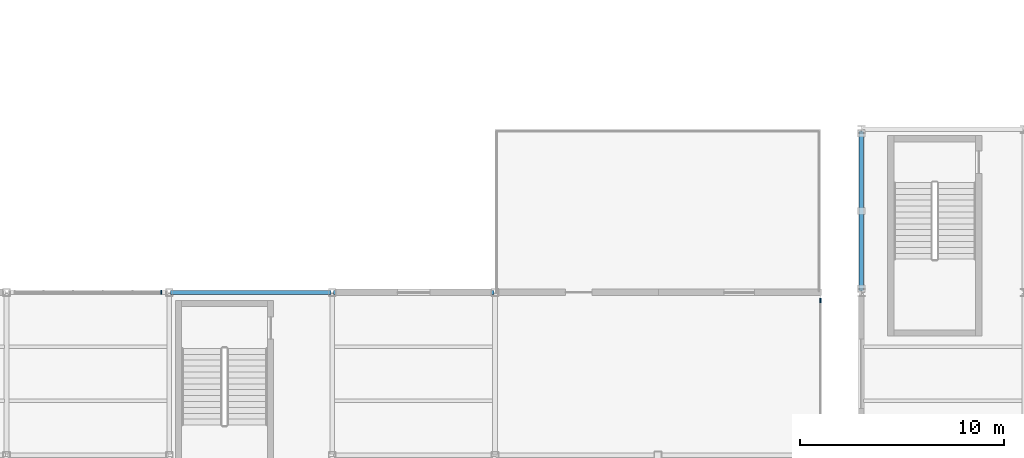
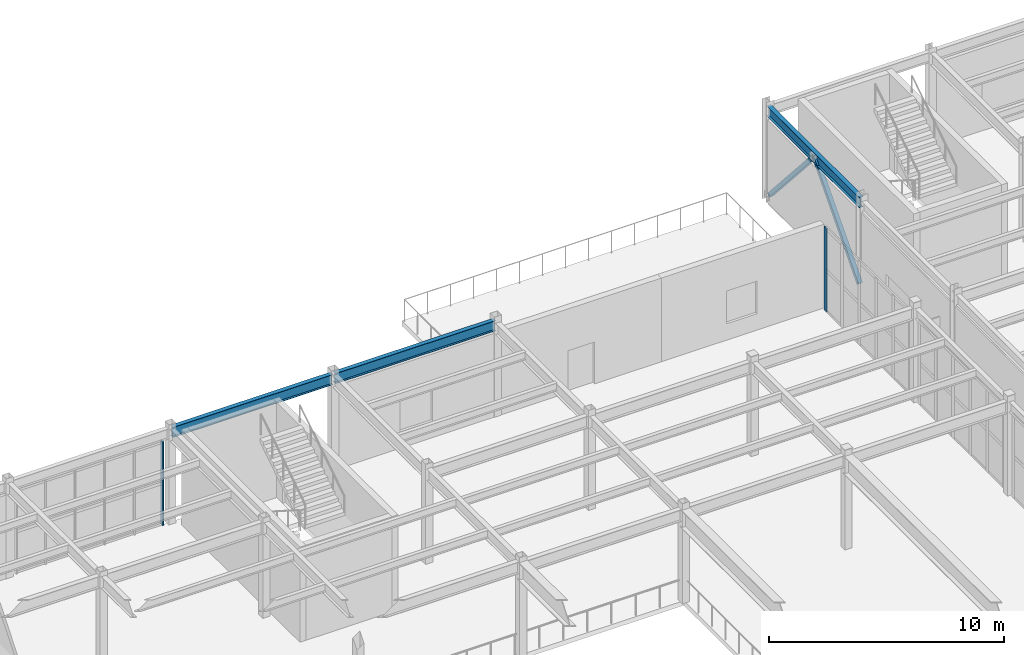
# One storey, part 41 of 77: 4 members, 3 beams, 2 elements without a shape of their own.
"""IFC4 building model written with IfcOpenShell, lengths in metres."""

from ifc_helpers import new_model, si_unit, direction, frame, origin, origin_2d, place, context, subcontext, project, spatial, rectangle, hollow_rectangle, i_section, extrude, material, material_profile, profile_set, type_object, element, aggregate, save


model = new_model("IFC4")

# Units and contexts
model_context = context("Model", 3, precision=1e-05, world=origin(), true_north=direction((0.0, 1.0)))
body_context = subcontext(model_context, "Body", "Model", "MODEL_VIEW")
ifc_project = project(units=[si_unit("LENGTHUNIT", "METRE"), si_unit("AREAUNIT", "SQUARE_METRE"), si_unit("VOLUMEUNIT", "CUBIC_METRE"), si_unit("PLANEANGLEUNIT", "RADIAN"), si_unit("MASSUNIT", "GRAM", prefix="KILO")], contexts=[model_context])

# Site, building, storey
site_placement = place(None, origin())
site = spatial("IfcSite", under=ifc_project, at=site_placement, CompositionType="ELEMENT")
building_placement = place(site_placement, origin())
building = spatial("IfcBuilding", under=site, at=building_placement, Name="Drelvath Fold Interchange", CompositionType="ELEMENT")
storey_placement = place(building_placement, frame((0.0, 0.0, 6.0)))
storey = spatial("IfcBuildingStorey", under=building, at=storey_placement, Name="L01", CompositionType="ELEMENT", Elevation=6.0)

# Beams
ifc_material_1 = material(Name="Steel ASTM A992 Grade 50", Category="steel")
ifc_material_profile_1 = material_profile(ifc_material_1, i_section(OverallWidth=0.2099609375, OverallDepth=0.537109375, WebThickness=0.010986328125, FlangeThickness=0.017333984375, at=origin_2d()), Name="W21X68")
ifc_profile_set_1 = profile_set([ifc_material_profile_1], Name="Steel ASTM A992 Grade 50")
beam_type = type_object("IfcBeamType", Name="BM-W21X68", PredefinedType="SPANDREL", material=ifc_profile_set_1)
for number, where, z_axis, x_axis, name in (
    (1, (68.06005859375, 99.0, 4.680908203125), (1.0, 0.0, 0.0), (0.0, 1.0, 0.0), "L01 Primary X girder BM-W21X68"),
    (2, (76.06005859375, 99.0, 4.680908203125), (1.0, 0.0, 0.0), (0.0, 1.0, 0.0), "L01 Primary X girder BM-W21X68"),
    (3, (102.0, 99.06005859375, 4.680908203125), (0.0, 1.0, 0.0), (-1.0, 0.0, 0.0), "L01 Primary Y girder BM-W21X68"),
):
    element("IfcBeam", number, at=place(storey_placement, frame(where, z_axis=z_axis, x_axis=x_axis)), inside=storey, type_object=beam_type, Name=name, PredefinedType="SPANDREL", context=body_context, shape_type="SweptSolid", body=[
        extrude(i_section(OverallWidth=0.2099609375, OverallDepth=0.537109375, WebThickness=0.010986328125, FlangeThickness=0.017333984375, at=origin_2d()), origin(), (0.0, 0.0, 1.0), 7.8798828125),
    ])

# Members
ifc_material_2 = material(Name="Steel ASTM A500 Grade C", Category="steel")
ifc_material_profile_2 = material_profile(ifc_material_2, hollow_rectangle(XDim=0.202880859375, YDim=0.202880859375, WallThickness=0.0087890625, at=origin_2d()), Name="HSS8X8X3/8")
ifc_profile_set_2 = profile_set([ifc_material_profile_2], Name="Steel ASTM A500 Grade C")
member_type_1 = type_object("IfcMemberType", Name="BR-CBF203", PredefinedType="BRACE", material=ifc_profile_set_2)
for number, where, z_axis, x_axis, name in (
    (4, (102.0, 99.18603515625, 0.3701171875), (0.0, 0.662629708149, 0.748947174291), (-1.0, 0.0, 0.0), "L01 Concentrically braced frame diagonal BR-CBF203"),
    (5, (102.0, 106.81396484375, 0.3701171875), (0.0, -0.662629708149, 0.748947174291), (1.0, 0.0, 0.0), "L01 Concentrically braced frame diagonal BR-CBF203"),
):
    element("IfcMember", number, at=place(storey_placement, frame(where, z_axis=z_axis, x_axis=x_axis)), inside=storey, type_object=member_type_1, Name=name, PredefinedType="BRACE", context=body_context, shape_type="SweptSolid", body=[
        extrude(hollow_rectangle(XDim=0.202880859375, YDim=0.202880859375, WallThickness=0.0087890625, at=origin_2d()), origin(), (0.0, 0.0, 1.0), 5.755859375),
    ])

# Curtain wall, member
ifc_material_3 = material(Name="Anodized Aluminium 6063-T6", Category="aluminium")
curtain_wall_type = type_object("IfcCurtainWallType", Name="CW-CON-520", PredefinedType="USERDEFINED", material=ifc_material_3)
curtain_wall_1_placement = place(storey_placement, origin())
curtain_wall_1 = element("IfcCurtainWall", 6, at=curtain_wall_1_placement, inside=storey, type_object=curtain_wall_type, Name="Curtain wall CW-V1-L01-N60", ObjectType="UNITISED CURTAIN WALL", PredefinedType="USERDEFINED")
ifc_material_profile_3 = material_profile(ifc_material_3, rectangle(XDim=0.06494140625, YDim=0.18994140625, at=origin_2d()), Name="AL-M 65x190")
ifc_profile_set_3 = profile_set([ifc_material_profile_3], Name="Anodized Aluminium 6063-T6")
member_type_2 = type_object("IfcMemberType", Name="ML-190", PredefinedType="MULLION", material=ifc_profile_set_3)
member_1_placement = place(storey_placement, frame((67.60009765625, 99.0, 0.0), z_axis=(0.0, 0.0, 1.0), x_axis=(1.0, 0.0, 0.0)))
member_1 = element("IfcMember", 7, at=member_1_placement, type_object=member_type_2, Name="CW-V1-L01-N60 mullion 5", PredefinedType="MULLION", context=body_context, shape_type="SweptSolid", body=[
    extrude(rectangle(XDim=0.06494140625, YDim=0.18994140625, at=origin_2d()), origin(), (0.0, 0.0, 1.0), 4.35009765625),
])
aggregate(curtain_wall_1, [member_1])

curtain_wall_2_placement = place(storey_placement, origin())
curtain_wall_2 = element("IfcCurtainWall", 8, at=curtain_wall_2_placement, inside=storey, type_object=curtain_wall_type, Name="Curtain wall CW-V1E-L01-Y91", ObjectType="UNITISED CURTAIN WALL", PredefinedType="USERDEFINED")
ifc_material_profile_4 = material_profile(ifc_material_3, rectangle(XDim=0.06494140625, YDim=0.219970703125, at=origin_2d()), Name="AL-M 65x220")
ifc_profile_set_4 = profile_set([ifc_material_profile_4], Name="Anodized Aluminium 6063-T6")
member_type_3 = type_object("IfcMemberType", Name="ML-220", PredefinedType="MULLION", material=ifc_profile_set_4)
member_2_placement = place(storey_placement, frame((100.0, 98.60009765625, 0.0), z_axis=(0.0, 0.0, 1.0), x_axis=(1.0, 0.0, 0.0)))
member_2 = element("IfcMember", 9, at=member_2_placement, type_object=member_type_3, Name="CW-V1E-L01-Y91 mullion 5", PredefinedType="MULLION", context=body_context, shape_type="SweptSolid", body=[
    extrude(rectangle(XDim=0.06494140625, YDim=0.219970703125, at=origin_2d()), origin(), (0.0, 0.0, 1.0), 4.35009765625),
])
aggregate(curtain_wall_2, [member_2])

save(model, "model.ifc")
